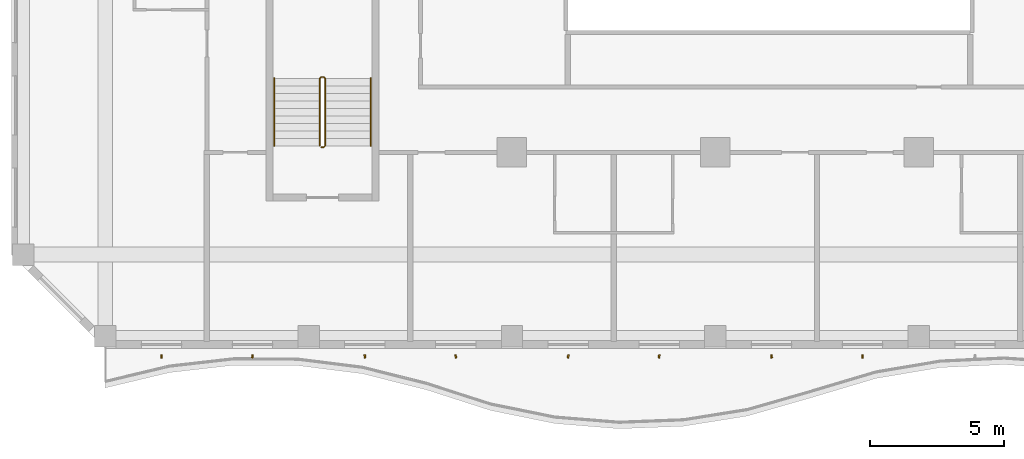
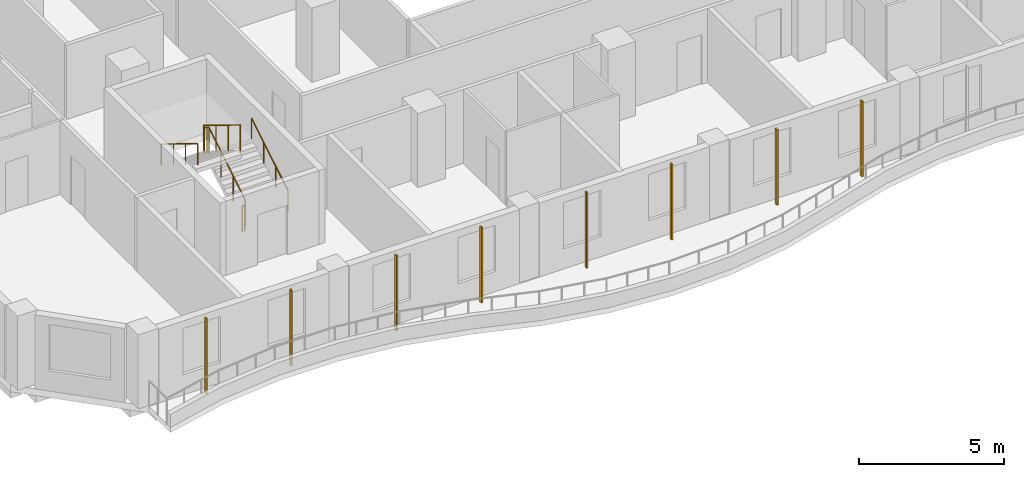
# One storey, part 14 of 22: 8 shading devices, 3 railings.
"""IFC4 building model written with IfcOpenShell, lengths in metres."""

from ifc_helpers import new_model, si_unit, direction, frame, origin, origin_2d, place, context, subcontext, project, spatial, rectangle, circle, extrude, source, transform, mapped, material, material_profile, profile_set, type_object, element, save


model = new_model("IFC4")

# Units and contexts
model_context = context("Model", 3, precision=1e-05, world=origin(), true_north=direction((0.0, 1.0)))
body_context = subcontext(model_context, "Body", "Model", "MODEL_VIEW")
ifc_project = project(units=[si_unit("LENGTHUNIT", "METRE"), si_unit("AREAUNIT", "SQUARE_METRE"), si_unit("VOLUMEUNIT", "CUBIC_METRE"), si_unit("PLANEANGLEUNIT", "RADIAN"), si_unit("MASSUNIT", "GRAM", prefix="KILO")], contexts=[model_context])

# Site, building, storey
site_placement = place(None, origin())
site = spatial("IfcSite", under=ifc_project, at=site_placement, CompositionType="ELEMENT")
building_placement = place(site_placement, origin())
building = spatial("IfcBuilding", under=site, at=building_placement, Name="Kilnfold Tower and Market Hall", CompositionType="ELEMENT")
storey_placement = place(building_placement, frame((0.0, 0.0, 154.10009765625)))
storey = spatial("IfcBuildingStorey", under=building, at=storey_placement, Name="L35", CompositionType="ELEMENT", Elevation=154.10009765625)

# Railings
ifc_material_1 = material(Name="Stainless steel 316", Category="steel")
railing_type_1 = type_object("IfcRailingType", Name="CORE STAIR GUARD 1100", PredefinedType="GUARDRAIL", material=ifc_material_1)
railing_1_placement = place(storey_placement, frame((-15.699951171875, -13.75, 0.0)))
element("IfcRailing", 1, at=railing_1_placement, inside=storey, type_object=railing_type_1, Name="L35 ST3 stair guard 1", PredefinedType="GUARDRAIL", context=body_context, shape_type="SweptSolid", body=[
    extrude(circle(Radius=0.02392578125, at=origin_2d()), frame((0.0, 0.0, 1.076171875), z_axis=(1.0, 0.0, 0.0), x_axis=(0.0, 1.0, 0.0)), (0.0, 0.0, 1.0), 0.099853515625),
    extrude(circle(Radius=0.02392578125, at=origin_2d()), frame((0.099853515625, 0.0, 1.076171875), z_axis=(0.271895245746, 0.271895245746, 0.923117517265), x_axis=(-0.707106781187, 0.707106781187, 0.0)), (0.0, 0.0, 1.0), 0.18408203125),
    extrude(circle(Radius=0.02392578125, at=origin_2d()), frame((0.14990234375, 0.050048828125, 1.24609375), z_axis=(0.0, 0.85478489116, 0.518982456201), x_axis=(-1.0, 0.0, 0.0)), (0.0, 0.0, 1.0), 2.9482421875),
    extrude(circle(Radius=0.02392578125, at=origin_2d()), frame((0.14990234375, 2.570068359375, 2.77587890625), z_axis=(-0.707106781187, 0.707106781187, 0.0), x_axis=(-0.707106781187, -0.707106781187, 0.0)), (0.0, 0.0, 1.0), 0.07080078125),
    extrude(circle(Radius=0.02392578125, at=origin_2d()), frame((0.099853515625, 2.6201171875, 2.77587890625), z_axis=(-1.0, 0.0, 0.0), x_axis=(0.0, -1.0, 0.0)), (0.0, 0.0, 1.0), 0.099853515625),
    extrude(circle(Radius=0.02392578125, at=origin_2d()), frame((0.0, 2.6201171875, 2.77587890625), z_axis=(-0.271895245746, -0.271895245746, 0.923117517265), x_axis=(0.707106781187, -0.707106781187, 0.0)), (0.0, 0.0, 1.0), 0.18408203125),
    extrude(circle(Radius=0.02392578125, at=origin_2d()), frame((-0.050048828125, 2.570068359375, 2.94580078125), z_axis=(0.0, -0.85478489116, 0.518982456201), x_axis=(1.0, 0.0, 0.0)), (0.0, 0.0, 1.0), 2.9482421875),
    extrude(circle(Radius=0.02099609375, at=origin_2d()), origin(), (0.0, 0.0, 1.0), 1.052001953125),
    extrude(circle(Radius=0.02099609375, at=origin_2d()), frame((0.099853515625, 0.0, 0.0)), (0.0, 0.0, 1.0), 1.052001953125),
    extrude(circle(Radius=0.02099609375, at=origin_2d()), frame((0.14990234375, 0.050048828125, 0.169921875)), (0.0, 0.0, 1.0), 1.052001953125),
    extrude(circle(Radius=0.02099609375, at=origin_2d()), frame((0.14990234375, 0.89013671875, 0.679931640625)), (0.0, 0.0, 1.0), 1.052001953125),
    extrude(circle(Radius=0.02099609375, at=origin_2d()), frame((0.14990234375, 1.72998046875, 1.18994140625)), (0.0, 0.0, 1.0), 1.052001953125),
    extrude(circle(Radius=0.02099609375, at=origin_2d()), frame((0.14990234375, 2.570068359375, 1.699951171875)), (0.0, 0.0, 1.0), 1.052001953125),
    extrude(circle(Radius=0.02099609375, at=origin_2d()), frame((0.099853515625, 2.6201171875, 1.699951171875)), (0.0, 0.0, 1.0), 1.052001953125),
    extrude(circle(Radius=0.02099609375, at=origin_2d()), frame((0.0, 2.6201171875, 1.699951171875)), (0.0, 0.0, 1.0), 1.052001953125),
    extrude(circle(Radius=0.02099609375, at=origin_2d()), frame((-0.050048828125, 2.570068359375, 1.869873046875)), (0.0, 0.0, 1.0), 1.052001953125),
    extrude(circle(Radius=0.02099609375, at=origin_2d()), frame((-0.050048828125, 1.72998046875, 2.3798828125)), (0.0, 0.0, 1.0), 1.052001953125),
    extrude(circle(Radius=0.02099609375, at=origin_2d()), frame((-0.050048828125, 0.89013671875, 2.889892578125)), (0.0, 0.0, 1.0), 1.052001953125),
    extrude(circle(Radius=0.02099609375, at=origin_2d()), frame((-0.050048828125, 0.050048828125, 3.39990234375)), (0.0, 0.0, 1.0), 1.052001953125),
])
ifc_material_2 = material(Name="Stainless steel 316", Category="steel")
railing_type_2 = type_object("IfcRailingType", Name="CORE STAIR HANDRAIL 900", PredefinedType="HANDRAIL", material=ifc_material_2)
railing_2_placement = place(storey_placement, frame((-13.85009765625, -13.699951171875, 0.169921875)))
element("IfcRailing", 2, at=railing_2_placement, inside=storey, type_object=railing_type_2, Name="L35 ST3 stair handrail 1", PredefinedType="HANDRAIL", context=body_context, shape_type="SweptSolid", body=[
    extrude(circle(Radius=0.02392578125, at=origin_2d()), frame((0.0, 0.0, 0.8759765625), z_axis=(0.0, 0.85478489116, 0.518982456201), x_axis=(-1.0, 0.0, 0.0)), (0.0, 0.0, 1.0), 2.9482421875),
    extrude(circle(Radius=0.02099609375, at=origin_2d()), origin(), (0.0, 0.0, 1.0), 0.851806640625),
    extrude(circle(Radius=0.02099609375, at=origin_2d()), frame((0.0, 0.840087890625, 0.510009765625)), (0.0, 0.0, 1.0), 0.851806640625),
    extrude(circle(Radius=0.02099609375, at=origin_2d()), frame((0.0, 1.679931640625, 1.02001953125)), (0.0, 0.0, 1.0), 0.851806640625),
    extrude(circle(Radius=0.02099609375, at=origin_2d()), frame((0.0, 2.52001953125, 1.530029296875)), (0.0, 0.0, 1.0), 0.851806640625),
])
railing_3_placement = place(storey_placement, frame((-17.449951171875, -11.179931640625, 1.869873046875)))
element("IfcRailing", 3, at=railing_3_placement, inside=storey, type_object=railing_type_2, Name="L35 ST3 stair handrail 2", PredefinedType="HANDRAIL", context=body_context, shape_type="SweptSolid", body=[
    extrude(circle(Radius=0.02392578125, at=origin_2d()), frame((0.0, 0.0, 0.8759765625), z_axis=(0.0, -0.85478489116, 0.518982456201), x_axis=(1.0, 0.0, 0.0)), (0.0, 0.0, 1.0), 2.9482421875),
    extrude(circle(Radius=0.02099609375, at=origin_2d()), origin(), (0.0, 0.0, 1.0), 0.851806640625),
    extrude(circle(Radius=0.02099609375, at=origin_2d()), frame((0.0, -0.840087890625, 0.510009765625)), (0.0, 0.0, 1.0), 0.851806640625),
    extrude(circle(Radius=0.02099609375, at=origin_2d()), frame((0.0, -1.679931640625, 1.02001953125)), (0.0, 0.0, 1.0), 0.851806640625),
    extrude(circle(Radius=0.02099609375, at=origin_2d()), frame((0.0, -2.52001953125, 1.530029296875)), (0.0, 0.0, 1.0), 0.851806640625),
])

# Shading devices
ifc_material_3 = material(Name="Terracotta", Category="masonry")
ifc_material_profile = material_profile(ifc_material_3, rectangle(XDim=0.06005859375, YDim=0.1201171875, at=origin_2d()), Name="BAG 60x120")
ifc_profile_set = profile_set([ifc_material_profile], Name="Terracotta")
shading_device_type = type_object("IfcShadingDeviceType", Name="BAGUETTE", PredefinedType="USERDEFINED", material=ifc_profile_set)
shared_shape = source(origin(), body_context, "Body", "SweptSolid", [
    extrude(rectangle(XDim=0.06005859375, YDim=0.1201171875, at=origin_2d()), origin(), (0.0, 0.0, 1.0), 3.179931640625),
])
for number, where, z_axis, x_axis, name in (
    (4, (-21.654296875, -21.550048828125, 0.0), (0.0, 0.0, 1.0), (0.999043953519, -0.04371703257, 0.0), "Terracotta baguette L35 S"),
    (5, (-18.2626953125, -21.550048828125, 0.0), (0.0, 0.0, 1.0), (0.990959097151, -0.134164331225, 0.0), "Terracotta baguette L35 S"),
    (6, (-14.07080078125, -21.550048828125, 0.0), (0.0, 0.0, 1.0), (0.997070667554, 0.076485841196, 0.0), "Terracotta baguette L35 S"),
    (7, (-10.67919921875, -21.550048828125, 0.0), (0.0, 0.0, 1.0), (0.992767193471, 0.120055402074, 0.0), "Terracotta baguette L35 S"),
    (8, (-6.4873046875, -21.550048828125, 0.0), (0.0, 0.0, 1.0), (0.994578668129, -0.103986888132, 0.0), "Terracotta baguette L35 S"),
    (9, (-3.095703125, -21.550048828125, 0.0), (0.0, 0.0, 1.0), (0.99520950027, -0.097765283066, 0.0), "Terracotta baguette L35 S"),
    (10, (1.095703125, -21.550048828125, 0.0), (0.0, 0.0, 1.0), (0.992236726166, 0.124363496441, 0.0), "Terracotta baguette L35 S"),
    (11, (4.4873046875, -21.550048828125, 0.0), (0.0, 0.0, 1.0), (0.997632352854, 0.068772731077, 0.0), "Terracotta baguette L35 S"),
):
    element("IfcShadingDevice", number, at=place(storey_placement, frame(where, z_axis=z_axis, x_axis=x_axis)), inside=storey, type_object=shading_device_type, Name=name, ObjectType="BAGUETTE", PredefinedType="USERDEFINED", context=body_context, shape_type="MappedRepresentation", body=[
        mapped(shared_shape, transform((0.0, 0.0, 0.0))),
    ])

save(model, "model.ifc")
